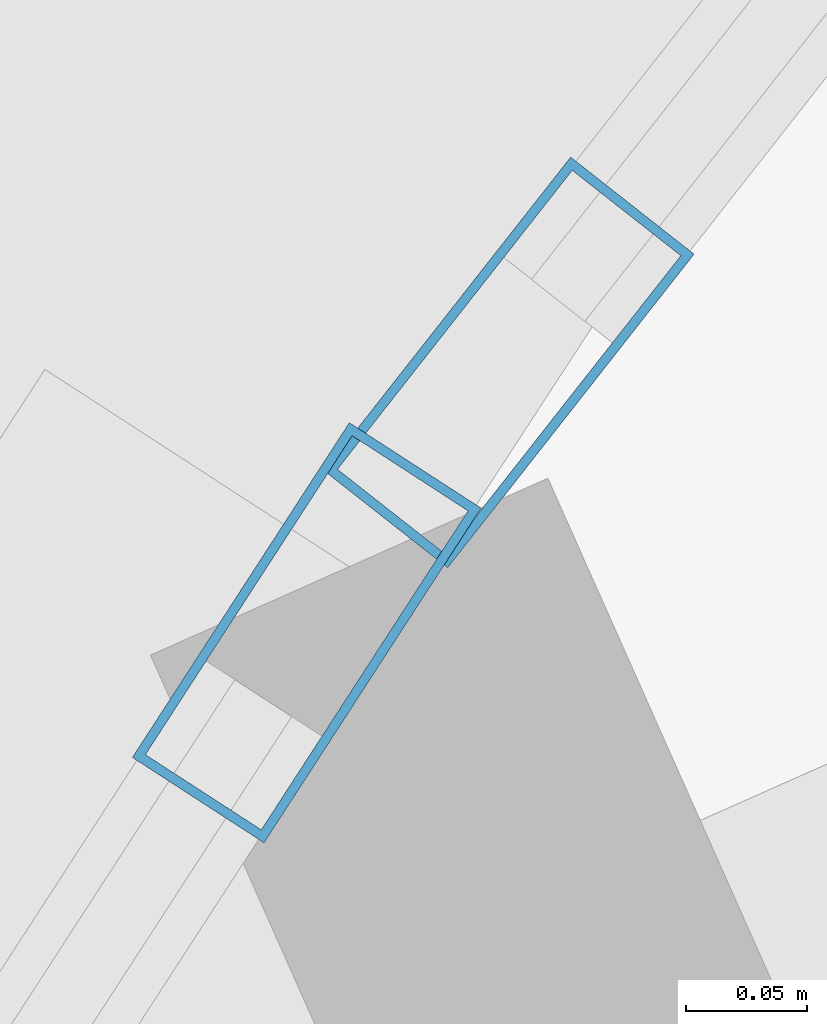
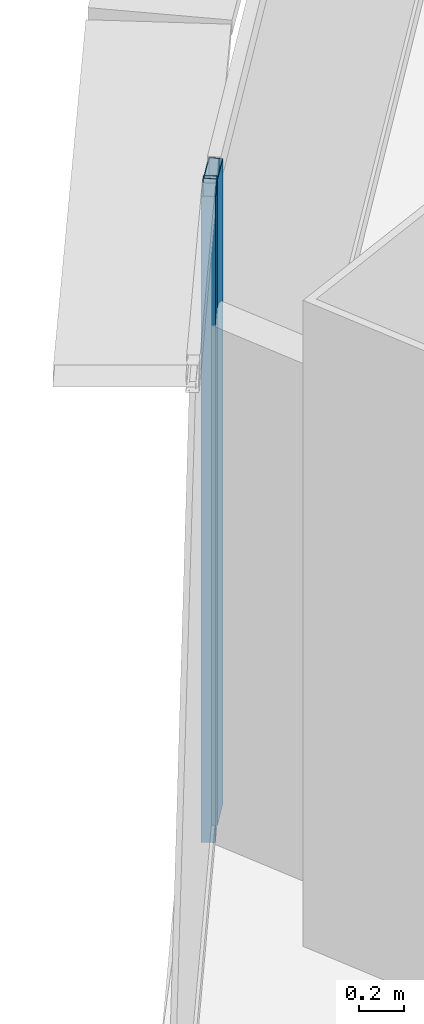
# One storey, part 18 of 41: 2 members, 2 elements without a shape of their own.
"""IFC4 building model written with IfcOpenShell, lengths in metres."""

from ifc_helpers import new_model, si_unit, direction, frame, origin, origin_2d, place, context, subcontext, project, spatial, hollow_rectangle, extrude, source, transform, mapped, material, layer, layer_set, material_profile, profile_set, type_object, element, aggregate, save


model = new_model("IFC4")

# Units and contexts
model_context = context("Model", 3, precision=1e-05, world=origin(), true_north=direction((0.0, 1.0)))
body_context = subcontext(model_context, "Body", "Model", "MODEL_VIEW")
ifc_project = project(units=[si_unit("LENGTHUNIT", "METRE"), si_unit("AREAUNIT", "SQUARE_METRE"), si_unit("VOLUMEUNIT", "CUBIC_METRE"), si_unit("PLANEANGLEUNIT", "RADIAN"), si_unit("MASSUNIT", "GRAM", prefix="KILO"), si_unit("THERMODYNAMICTEMPERATUREUNIT", "KELVIN"), si_unit("POWERUNIT", "WATT")], contexts=[model_context])

# Site, building, storey
site_placement = place(None, origin())
site = spatial("IfcSite", under=ifc_project, at=site_placement, CompositionType="ELEMENT")
building_placement = place(site_placement, origin())
building = spatial("IfcBuilding", under=site, at=building_placement, Name="Yunzhuo Pagoda Commons", CompositionType="ELEMENT")
storey_placement = place(building_placement, frame((0.0, 0.0, 115.3798828125)))
storey = spatial("IfcBuildingStorey", under=building, at=storey_placement, Name="L29", CompositionType="ELEMENT", Elevation=115.3798828125)

# Curtain wall, member
ifc_material = material(Name="Anodized aluminium 6063-T6", Category="aluminium")
ifc_layer = layer(ifc_material, 0.1650390625)
ifc_layer_set = layer_set([ifc_layer], Name="Anodized aluminium 6063-T6")
curtain_wall_type = type_object("IfcCurtainWallType", Name="CW-LOW Low-Zone Ribbon Curtain Wall", PredefinedType="NOTDEFINED", material=ifc_layer_set)
curtain_wall_1_placement = place(storey_placement, origin())
curtain_wall_1 = element("IfcCurtainWall", 1, at=curtain_wall_1_placement, inside=storey, type_object=curtain_wall_type, Name="L29 curtain wall CW-L29-F3B2", PredefinedType="NOTDEFINED")
ifc_material_profile = material_profile(ifc_material, hollow_rectangle(XDim=0.06494140625, YDim=0.1650390625, WallThickness=0.00390625, at=origin_2d()), Name="Anodized aluminium 6063-T6")
ifc_profile_set = profile_set([ifc_material_profile], Name="Anodized aluminium 6063-T6")
member_type = type_object("IfcMemberType", Name="CW-LOW-M Mullion RHS 165x65x4", PredefinedType="MULLION", material=ifc_profile_set)
shared_shape = source(origin(), body_context, "Body", "SweptSolid", [
    extrude(hollow_rectangle(XDim=0.06494140625, YDim=0.1650390625, WallThickness=0.00390625, at=origin_2d()), origin(), (0.0, 0.0, 1.0), 3.52001953125),
])
member_1_placement = place(storey_placement, frame((31.480224609375, 70.737548828125, 0.0), z_axis=(0.0, 0.0, 1.0), x_axis=(0.839105842503, -0.543968183884, 0.0)))
member_1 = element("IfcMember", 2, at=member_1_placement, type_object=member_type, Name="CW mullion 1", PredefinedType="MULLION", context=body_context, shape_type="MappedRepresentation", body=[
    mapped(shared_shape, transform((0.0, 0.0, 0.0), scale=1.0)),
])
aggregate(curtain_wall_1, [member_1])

curtain_wall_2_placement = place(storey_placement, origin())
curtain_wall_2 = element("IfcCurtainWall", 3, at=curtain_wall_2_placement, inside=storey, type_object=curtain_wall_type, Name="L29 curtain wall CW-L29-F3B1", PredefinedType="NOTDEFINED")
member_2_placement = place(storey_placement, frame((31.56396484375, 70.849365234375, 0.0), z_axis=(0.0, 0.0, 1.0), x_axis=(0.786392055703, -0.617727718925, 0.0)))
member_2 = element("IfcMember", 4, at=member_2_placement, type_object=member_type, Name="CW mullion 2", PredefinedType="MULLION", context=body_context, shape_type="MappedRepresentation", body=[
    mapped(shared_shape, transform((0.0, 0.0, 0.0), scale=1.0)),
])
aggregate(curtain_wall_2, [member_2])

save(model, "model.ifc")
